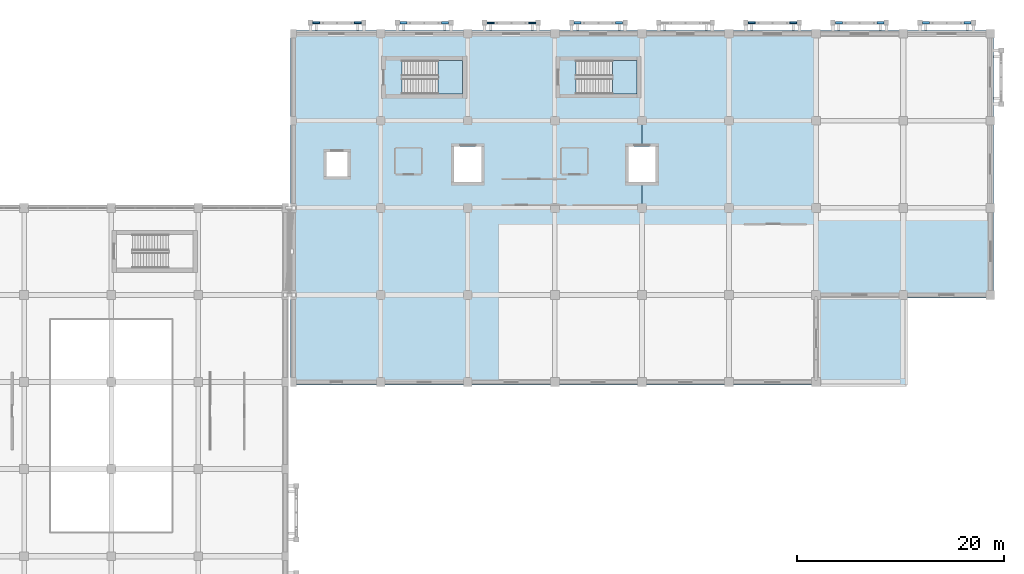
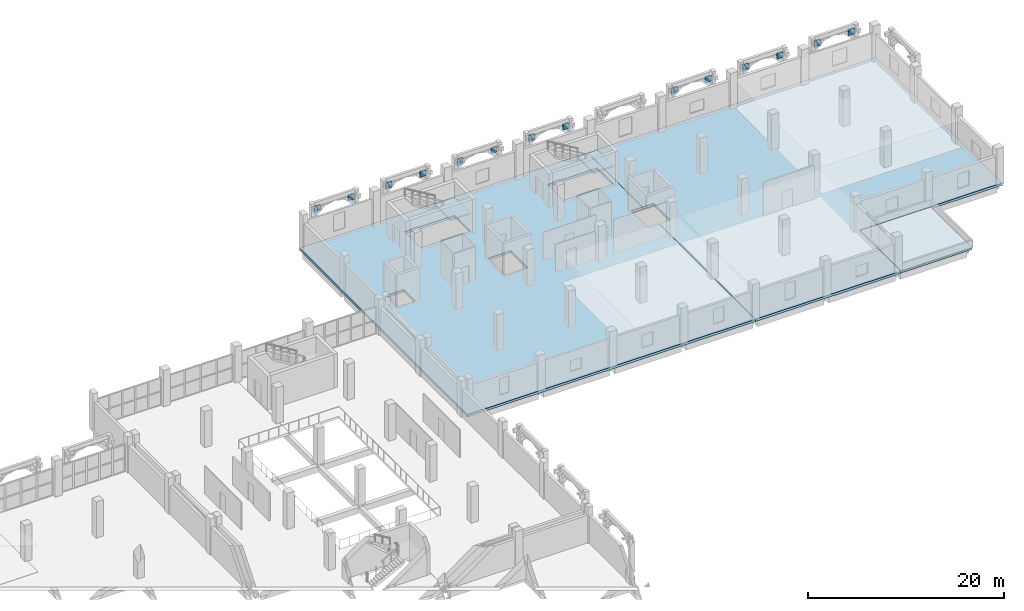
# One storey, part 107 of 137: 14 plates, 5 slabs, 2 elements without a shape of their own.
"""IFC4 building model written with IfcOpenShell, lengths in metres."""

from ifc_helpers import new_model, si_unit, direction, frame, origin, origin_2d, place, context, subcontext, project, spatial, polyline, rectangle, outline, extrude, material, layer, layer_set, type_object, element, aggregate, save


model = new_model("IFC4")

# Units and contexts
model_context = context("Model", 3, precision=1e-05, world=origin(), true_north=direction((0.0, 1.0)))
body_context = subcontext(model_context, "Body", "Model", "MODEL_VIEW")
ifc_project = project(units=[si_unit("LENGTHUNIT", "METRE"), si_unit("AREAUNIT", "SQUARE_METRE"), si_unit("VOLUMEUNIT", "CUBIC_METRE"), si_unit("PLANEANGLEUNIT", "RADIAN"), si_unit("MASSUNIT", "GRAM", prefix="KILO")], contexts=[model_context])

# Site, building, storey
site_placement = place(None, origin())
site = spatial("IfcSite", under=ifc_project, at=site_placement, CompositionType="ELEMENT")
building_placement = place(site_placement, origin())
building = spatial("IfcBuilding", under=site, at=building_placement, Name="Xazarin Passage Department Store", CompositionType="ELEMENT")
storey_placement = place(building_placement, frame((0.0, 0.0, 5.39990234375)))
storey = spatial("IfcBuildingStorey", under=building, at=storey_placement, Name="L01", CompositionType="ELEMENT", Elevation=5.39990234375)

# Plates
ifc_material_1 = material(Name="Precast concrete C40/50", Category="concrete")
ifc_layer_1 = layer(ifc_material_1, 0.139892578125)
ifc_layer_set_1 = layer_set([ifc_layer_1], Name="Precast concrete C40/50")
plate_type_1 = type_object("IfcPlateType", Name="ARC-PLT-SCR-07", PredefinedType="USERDEFINED", material=ifc_layer_set_1)
for number, where, z_axis, x_axis, name in (
    (1, (121.39990234375, 111.050048828125, 3.26025390625), (0.0, 0.0, 1.0), (1.0, 0.0, 0.0), "L01 V4 Arch Spandrel Tympanum 0307"),
    (2, (125.39990234375, 111.050048828125, 3.26025390625), (0.0, 0.0, 1.0), (1.0, 0.0, 0.0), "L01 V4 Arch Spandrel Tympanum 0308"),
):
    element("IfcPlate", number, at=place(storey_placement, frame(where, z_axis=z_axis, x_axis=x_axis)), inside=storey, type_object=plate_type_1, Name=name, ObjectType="SCREEN PANEL", PredefinedType="USERDEFINED", context=body_context, shape_type="SweptSolid", body=[
        extrude(rectangle(XDim=0.679931640625, YDim=0.139892578125, at=origin_2d()), origin(), (0.0, 0.0, 1.0), 0.719970703125),
    ])
ifc_layer_2 = layer(ifc_material_1, 0.179931640625)
ifc_layer_set_2 = layer_set([ifc_layer_2], Name="Precast concrete C40/50")
plate_type_2 = type_object("IfcPlateType", Name="ARC-PLT-SCR-11", PredefinedType="USERDEFINED", material=ifc_layer_set_2)
for number, where, z_axis, x_axis, name in (
    (3, (104.60009765625, 111.050048828125, 3.26025390625), (0.0, 0.0, 1.0), (1.0, 0.0, 0.0), "L01 V4 Arch Spandrel Tympanum 0291"),
    (4, (108.60009765625, 111.050048828125, 3.26025390625), (0.0, 0.0, 1.0), (1.0, 0.0, 0.0), "L01 V4 Arch Spandrel Tympanum 0292"),
    (5, (146.60009765625, 111.050048828125, 3.26025390625), (0.0, 0.0, 1.0), (1.0, 0.0, 0.0), "L01 V4 Arch Spandrel Tympanum 0331"),
    (6, (150.60009765625, 111.050048828125, 3.26025390625), (0.0, 0.0, 1.0), (1.0, 0.0, 0.0), "L01 V4 Arch Spandrel Tympanum 0332"),
):
    element("IfcPlate", number, at=place(storey_placement, frame(where, z_axis=z_axis, x_axis=x_axis)), inside=storey, type_object=plate_type_2, Name=name, ObjectType="SCREEN PANEL", PredefinedType="USERDEFINED", context=body_context, shape_type="SweptSolid", body=[
        extrude(rectangle(XDim=0.679931640625, YDim=0.179931640625, at=origin_2d()), origin(), (0.0, 0.0, 1.0), 0.719970703125),
    ])
ifc_layer_3 = layer(ifc_material_1, 0.219970703125)
ifc_layer_set_3 = layer_set([ifc_layer_3], Name="Precast concrete C40/50")
plate_type_3 = type_object("IfcPlateType", Name="ARC-PLT-SCR-15", PredefinedType="USERDEFINED", material=ifc_layer_set_3)
for number, where, z_axis, x_axis, name in (
    (7, (129.800048828125, 111.050048828125, 3.26025390625), (0.0, 0.0, 1.0), (1.0, 0.0, 0.0), "L01 V4 Arch Spandrel Tympanum 0315"),
    (8, (133.800048828125, 111.050048828125, 3.26025390625), (0.0, 0.0, 1.0), (1.0, 0.0, 0.0), "L01 V4 Arch Spandrel Tympanum 0316"),
    (9, (155.0, 111.050048828125, 3.26025390625), (0.0, 0.0, 1.0), (1.0, 0.0, 0.0), "L01 V4 Arch Spandrel Tympanum 0335"),
    (10, (159.0, 111.050048828125, 3.26025390625), (0.0, 0.0, 1.0), (1.0, 0.0, 0.0), "L01 V4 Arch Spandrel Tympanum 0336"),
):
    element("IfcPlate", number, at=place(storey_placement, frame(where, z_axis=z_axis, x_axis=x_axis)), inside=storey, type_object=plate_type_3, Name=name, ObjectType="SCREEN PANEL", PredefinedType="USERDEFINED", context=body_context, shape_type="SweptSolid", body=[
        extrude(rectangle(XDim=0.679931640625, YDim=0.219970703125, at=origin_2d()), origin(), (0.0, 0.0, 1.0), 0.719970703125),
    ])
ifc_layer_4 = layer(ifc_material_1, 0.260009765625)
ifc_layer_set_4 = layer_set([ifc_layer_4], Name="Precast concrete C40/50")
plate_type_4 = type_object("IfcPlateType", Name="ARC-PLT-SCR-19", PredefinedType="USERDEFINED", material=ifc_layer_set_4)
for number, where, z_axis, x_axis, name in (
    (11, (113.0, 111.050048828125, 3.26025390625), (0.0, 0.0, 1.0), (1.0, 0.0, 0.0), "L01 V4 Arch Spandrel Tympanum 0299"),
    (12, (117.0, 111.050048828125, 3.26025390625), (0.0, 0.0, 1.0), (1.0, 0.0, 0.0), "L01 V4 Arch Spandrel Tympanum 0300"),
    (13, (163.39990234375, 111.050048828125, 3.26025390625), (0.0, 0.0, 1.0), (1.0, 0.0, 0.0), "L01 V4 Arch Spandrel Tympanum 0339"),
    (14, (167.39990234375, 111.050048828125, 3.26025390625), (0.0, 0.0, 1.0), (1.0, 0.0, 0.0), "L01 V4 Arch Spandrel Tympanum 0340"),
):
    element("IfcPlate", number, at=place(storey_placement, frame(where, z_axis=z_axis, x_axis=x_axis)), inside=storey, type_object=plate_type_4, Name=name, ObjectType="SCREEN PANEL", PredefinedType="USERDEFINED", context=body_context, shape_type="SweptSolid", body=[
        extrude(rectangle(XDim=0.679931640625, YDim=0.260009765625, at=origin_2d()), origin(), (0.0, 0.0, 1.0), 0.719970703125),
    ])

# Slabs
ifc_material_2 = material(Name="Concrete C35/45", Category="concrete")
ifc_layer_5 = layer(ifc_material_2, 0.300048828125)
ifc_layer_set_5 = layer_set([ifc_layer_5], Name="Concrete C35/45")
slab_type_1 = type_object("IfcSlabType", Name="STR-SLB-FLR300", PredefinedType="FLOOR", material=ifc_layer_set_5)
slab_1_placement = place(storey_placement, frame((0.0, 0.0, -0.2998046875)))
element("IfcSlab", 15, at=slab_1_placement, inside=storey, type_object=slab_type_1, Name="L01 V4 Suspended Floor Slab Bay 1", PredefinedType="FLOOR", context=body_context, shape_type="SweptSolid", body=[
    extrude(outline(polyline([(102.10009765625, 110.300048828125), (102.10009765625, 76.10009765625), (135.989990234375, 76.10009765625), (135.989990234375, 95.679931640625), (134.679931640625, 95.679931640625), (134.679931640625, 99.1201171875), (135.989990234375, 99.1201171875), (135.989990234375, 110.300048828125), (102.10009765625, 110.300048828125)]), holes=[polyline([(135.5, 107.419921875), (135.5, 104.179931640625), (129.652099609375, 104.179931640625), (129.652099609375, 107.419921875), (135.5, 107.419921875)]), polyline([(117.8798828125, 95.679931640625), (117.8798828125, 99.1201171875), (120.52001953125, 99.1201171875), (120.52001953125, 95.679931640625), (117.8798828125, 95.679931640625)]), polyline([(118.699951171875, 107.419921875), (118.699951171875, 104.179931640625), (112.85205078125, 104.179931640625), (112.85205078125, 107.419921875), (118.699951171875, 107.419921875)]), polyline([(105.580078125, 96.22998046875), (105.580078125, 98.570068359375), (107.6201171875, 98.570068359375), (107.6201171875, 96.22998046875), (105.580078125, 96.22998046875)])]), origin(), (0.0, 0.0, 1.0), 0.2998046875),
])
slab_2_placement = place(storey_placement, frame((0.0, 0.0, -0.2998046875)))
element("IfcSlab", 16, at=slab_2_placement, inside=storey, type_object=slab_type_1, Name="L01 V4 Suspended Floor Slab Bay 2", PredefinedType="FLOOR", context=body_context, shape_type="SweptSolid", body=[
    extrude(outline(polyline([(136.010009765625, 110.300048828125), (136.010009765625, 99.1201171875), (137.320068359375, 99.1201171875), (137.320068359375, 95.679931640625), (136.010009765625, 95.679931640625), (136.010009765625, 76.10009765625), (153.10009765625, 76.10009765625), (153.10009765625, 84.5), (169.89990234375, 84.5), (169.89990234375, 110.300048828125), (136.010009765625, 110.300048828125)])), origin(), (0.0, 0.0, 1.0), 0.2998046875),
])

# Stair, slab
stair_type = type_object("IfcStairType", Name="ARC-ST-TYP", PredefinedType="HALF_TURN_STAIR", material=ifc_material_2)
stair_1_placement = place(storey_placement, origin())
stair_1 = element("IfcStair", 17, at=stair_1_placement, inside=storey, type_object=stair_type, Name="L01 Exit Stair ST10", PredefinedType="HALF_TURN_STAIR")
ifc_layer_6 = layer(ifc_material_2, 0.199951171875)
ifc_layer_set_6 = layer_set([ifc_layer_6], Name="Concrete C35/45")
slab_type_2 = type_object("IfcSlabType", Name="STR-SLB-LND200", PredefinedType="LANDING", material=ifc_layer_set_6)
slab_3_placement = place(storey_placement, frame((0.0, 0.0, 2.050048828125)))
slab_3 = element("IfcSlab", 18, at=slab_3_placement, type_object=slab_type_2, Name="ST10 landing 1", PredefinedType="LANDING", context=body_context, shape_type="SweptSolid", body=[
    extrude(outline(polyline([(116.35009765625, 104.179931640625), (118.699951171875, 104.179931640625), (118.699951171875, 107.419921875), (116.35009765625, 107.419921875), (116.35009765625, 104.179931640625)])), origin(), (0.0, 0.0, 1.0), 0.199951171875),
])
aggregate(stair_1, [slab_3])

stair_2_placement = place(storey_placement, origin())
stair_2 = element("IfcStair", 19, at=stair_2_placement, inside=storey, type_object=stair_type, Name="L01 Exit Stair ST11", PredefinedType="HALF_TURN_STAIR")
slab_4_placement = place(storey_placement, frame((0.0, 0.0, 2.050048828125)))
slab_4 = element("IfcSlab", 20, at=slab_4_placement, type_object=slab_type_2, Name="ST11 landing 1", PredefinedType="LANDING", context=body_context, shape_type="SweptSolid", body=[
    extrude(outline(polyline([(133.14990234375, 104.179931640625), (135.5, 104.179931640625), (135.5, 107.419921875), (133.14990234375, 107.419921875), (133.14990234375, 104.179931640625)])), origin(), (0.0, 0.0, 1.0), 0.199951171875),
])
aggregate(stair_2, [slab_4])

# Slab
ifc_layer_7 = layer(ifc_material_2, 0.260009765625)
ifc_layer_set_7 = layer_set([ifc_layer_7], Name="Concrete C35/45")
slab_type_3 = type_object("IfcSlabType", Name="STR-SLB-RF260", PredefinedType="ROOF", material=ifc_layer_set_7)
slab_5_placement = place(storey_placement, frame((0.0, 0.0, -0.260009765625)))
element("IfcSlab", 21, at=slab_5_placement, inside=storey, type_object=slab_type_3, Name="L01 V4 Setback Roof Slab 1", PredefinedType="ROOF", context=body_context, shape_type="SweptSolid", body=[
    extrude(outline(polyline([(161.5, 84.449951171875), (153.14990234375, 84.449951171875), (153.14990234375, 76.10009765625), (161.5, 76.10009765625), (161.5, 84.449951171875)])), origin(), (0.0, 0.0, 1.0), 0.260009765625),
])

save(model, "model.ifc")
